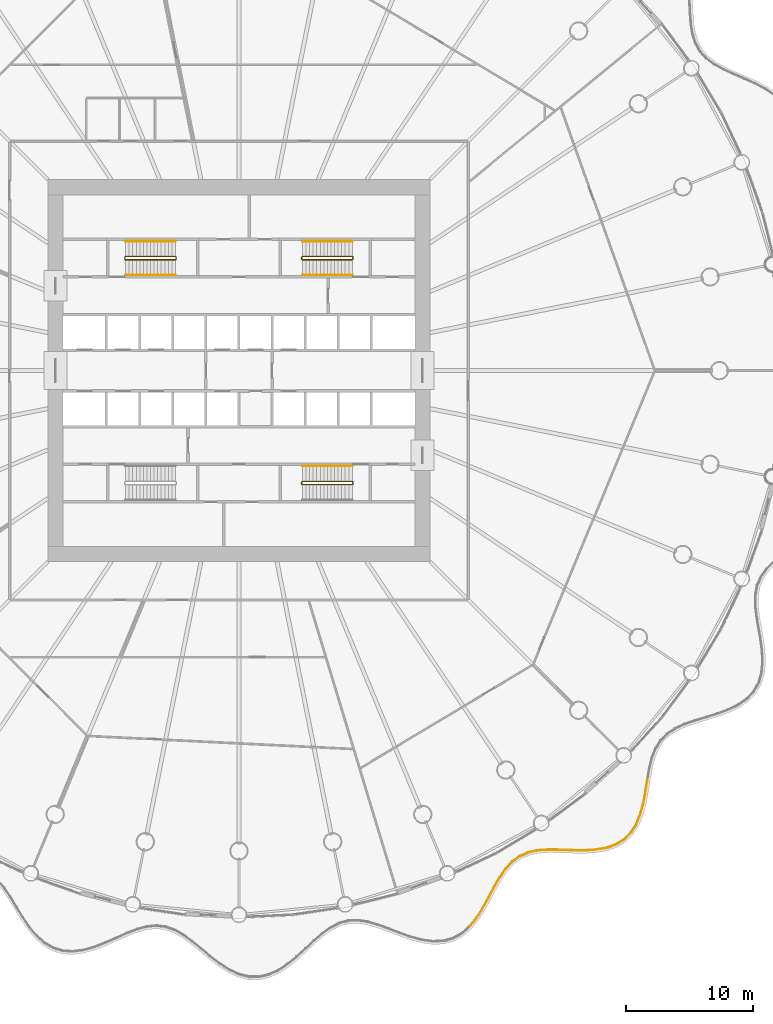
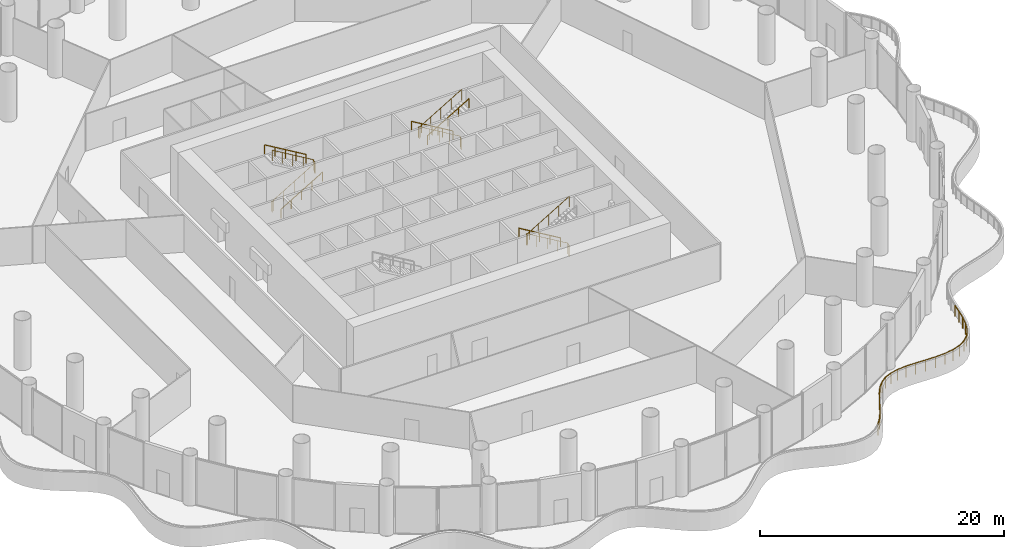
# One storey, part 32 of 35: 9 railings.
"""IFC4 building model written with IfcOpenShell, lengths in metres."""

from ifc_helpers import new_model, si_unit, direction, frame, origin, origin_2d, place, context, subcontext, project, spatial, circle, extrude, material, type_object, element, save


model = new_model("IFC4")

# Units and contexts
model_context = context("Model", 3, precision=1e-05, world=origin(), true_north=direction((0.0, 1.0)))
body_context = subcontext(model_context, "Body", "Model", "MODEL_VIEW")
ifc_project = project(units=[si_unit("LENGTHUNIT", "METRE"), si_unit("AREAUNIT", "SQUARE_METRE"), si_unit("VOLUMEUNIT", "CUBIC_METRE"), si_unit("PLANEANGLEUNIT", "RADIAN"), si_unit("MASSUNIT", "GRAM", prefix="KILO")], contexts=[model_context])

# Site, building, storey
site_placement = place(None, origin())
site = spatial("IfcSite", under=ifc_project, at=site_placement, CompositionType="ELEMENT")
building_placement = place(site_placement, origin())
building = spatial("IfcBuilding", under=site, at=building_placement, Name="Corvane Civic Tower", CompositionType="ELEMENT")
storey_placement = place(building_placement, frame((0.0, 0.0, 27.0)))
storey = spatial("IfcBuildingStorey", under=building, at=storey_placement, Name="L05", CompositionType="ELEMENT", Elevation=27.0)

# Railings
ifc_material_1 = material(Name="Steel ASTM A572 Gr 50", Category="steel")
railing_type_1 = type_object("IfcRailingType", Name="PODIUM-RL-GUARD-1100", PredefinedType="GUARDRAIL", material=ifc_material_1)
railing_1_placement = place(storey_placement, frame((18.093017578125, -43.623046875, 0.0)))
element("IfcRailing", 1, at=railing_1_placement, inside=storey, type_object=railing_type_1, Name="L05 ribbon guard 10", PredefinedType="GUARDRAIL", context=body_context, shape_type="SweptSolid", body=[
    extrude(circle(Radius=0.02392578125, at=origin_2d()), frame((0.0, 0.0, 1.076171875), z_axis=(0.634134915588, 0.773222418733, 0.0), x_axis=(-0.773222418733, 0.634134915588, 0.0)), (0.0, 0.0, 1.0), 0.84423828125),
    extrude(circle(Radius=0.02392578125, at=origin_2d()), frame((0.535400390625, 0.65283203125, 1.076171875), z_axis=(0.540730545669, 0.841195861248, 0.0), x_axis=(-0.841195861248, 0.540730545669, 0.0)), (0.0, 0.0, 1.0), 0.91259765625),
    extrude(circle(Radius=0.02392578125, at=origin_2d()), frame((1.02880859375, 1.42041015625, 1.076171875), z_axis=(0.483733525846, 0.875215331203, 0.0), x_axis=(-0.875215331203, 0.483733525846, 0.0)), (0.0, 0.0, 1.0), 0.93408203125),
    extrude(circle(Radius=0.02392578125, at=origin_2d()), frame((1.480712890625, 2.238037109375, 1.076171875), z_axis=(0.466638195595, 0.884448299457, 0.0), x_axis=(-0.884448299457, 0.466638195595, 0.0)), (0.0, 0.0, 1.0), 0.925048828125),
    extrude(circle(Radius=0.02392578125, at=origin_2d()), frame((1.912353515625, 3.05615234375, 1.076171875), z_axis=(0.491385477891, 0.87094219792, 0.0), x_axis=(-0.87094219792, 0.491385477891, 0.0)), (0.0, 0.0, 1.0), 0.886474609375),
    extrude(circle(Radius=0.02392578125, at=origin_2d()), frame((2.347900390625, 3.828125, 1.076171875), z_axis=(0.561154876158, 0.827710822065, 0.0), x_axis=(-0.827710822065, 0.561154876158, 0.0)), (0.0, 0.0, 1.0), 0.8271484375),
    extrude(circle(Radius=0.02392578125, at=origin_2d()), frame((2.81201171875, 4.5126953125, 1.076171875), z_axis=(0.673164679365, 0.739492606086, 0.0), x_axis=(-0.739492606086, 0.673164679365, 0.0)), (0.0, 0.0, 1.0), 0.765625),
    extrude(circle(Radius=0.02392578125, at=origin_2d()), frame((3.327392578125, 5.078857421875, 1.076171875), z_axis=(0.8052164335, 0.592981024336, 0.0), x_axis=(-0.592981024336, 0.8052164335, 0.0)), (0.0, 0.0, 1.0), 0.725830078125),
    extrude(circle(Radius=0.02392578125, at=origin_2d()), frame((3.911865234375, 5.50927734375, 1.076171875), z_axis=(0.916126457216, 0.400889404186, 0.0), x_axis=(-0.400889404186, 0.916126457216, 0.0)), (0.0, 0.0, 1.0), 0.725830078125),
    extrude(circle(Radius=0.02392578125, at=origin_2d()), frame((4.576904296875, 5.80029296875, 1.076171875), z_axis=(0.97699765227, 0.213250058522, 0.0), x_axis=(-0.213250058522, 0.97699765227, 0.0)), (0.0, 0.0, 1.0), 0.765869140625),
    extrude(circle(Radius=0.02392578125, at=origin_2d()), frame((5.3251953125, 5.963623046875, 1.076171875), z_axis=(0.997401426671, 0.072044389612, 0.0), x_axis=(-0.072044389612, 0.997401426671, 0.0)), (0.0, 0.0, 1.0), 0.826904296875),
    extrude(circle(Radius=0.02392578125, at=origin_2d()), frame((6.14990234375, 6.023193359375, 1.076171875), z_axis=(0.999950826658, -0.009916867702, 0.0), x_axis=(0.009916867702, 0.999950826658, 0.0)), (0.0, 0.0, 1.0), 0.88623046875),
    extrude(circle(Radius=0.02392578125, at=origin_2d()), frame((7.0361328125, 6.014404296875, 1.076171875), z_axis=(0.999277839493, -0.037997361734, 0.0), x_axis=(0.037997361734, 0.999277839493, 0.0)), (0.0, 0.0, 1.0), 0.92529296875),
    extrude(circle(Radius=0.02392578125, at=origin_2d()), frame((7.960693359375, 5.979248046875, 1.076171875), z_axis=(0.999827768885, -0.018558894534, 0.0), x_axis=(0.018558894534, 0.999827768885, 0.0)), (0.0, 0.0, 1.0), 0.93408203125),
    extrude(circle(Radius=0.02392578125, at=origin_2d()), frame((8.89453125, 5.9619140625, 1.076171875), z_axis=(0.998865715566, 0.047615987512, 0.0), x_axis=(-0.047615987512, 0.998865715566, 0.0)), (0.0, 0.0, 1.0), 0.91259765625),
    extrude(circle(Radius=0.02392578125, at=origin_2d()), frame((9.80615234375, 6.00537109375, 1.076171875), z_axis=(0.986725999475, 0.16239397144, 0.0), x_axis=(-0.16239397144, 0.986725999475, 0.0)), (0.0, 0.0, 1.0), 0.868896484375),
    extrude(circle(Radius=0.02392578125, at=origin_2d()), frame((10.66357421875, 6.146484375, 1.076171875), z_axis=(0.945632221088, 0.32523791667, 0.0), x_axis=(-0.32523791667, 0.945632221088, 0.0)), (0.0, 0.0, 1.0), 0.81982421875),
    extrude(circle(Radius=0.02392578125, at=origin_2d()), frame((11.438720703125, 6.4130859375, 1.076171875), z_axis=(0.854654494149, 0.519197164506, 0.0), x_axis=(-0.519197164506, 0.854654494149, 0.0)), (0.0, 0.0, 1.0), 0.785400390625),
    extrude(circle(Radius=0.02392578125, at=origin_2d()), frame((12.10986328125, 6.82080078125, 1.076171875), z_axis=(0.708979075242, 0.705229516448, 0.0), x_axis=(-0.705229516448, 0.708979075242, 0.0)), (0.0, 0.0, 1.0), 0.78125),
    extrude(circle(Radius=0.02392578125, at=origin_2d()), frame((12.663818359375, 7.371826171875, 1.076171875), z_axis=(0.536212591881, 0.844082967669, 0.0), x_axis=(-0.844082967669, 0.536212591881, 0.0)), (0.0, 0.0, 1.0), 0.810546875),
    extrude(circle(Radius=0.02392578125, at=origin_2d()), frame((13.098388671875, 8.055908203125, 1.076171875), z_axis=(0.377558768502, 0.925985624255, 0.0), x_axis=(-0.925985624255, 0.377558768502, 0.0)), (0.0, 0.0, 1.0), 0.858642578125),
    extrude(circle(Radius=0.02392578125, at=origin_2d()), frame((13.422607421875, 8.85107421875, 1.076171875), z_axis=(0.257746640802, 0.966212538293, 0.0), x_axis=(-0.966212538293, 0.257746640802, 0.0)), (0.0, 0.0, 1.0), 0.904541015625),
    extrude(circle(Radius=0.02392578125, at=origin_2d()), frame((13.65576171875, 9.72509765625, 1.076171875), z_axis=(0.183355365937, 0.983046697661, 0.0), x_axis=(-0.983046697661, 0.183355365937, 0.0)), (0.0, 0.0, 1.0), 0.93212890625),
    extrude(circle(Radius=0.02392578125, at=origin_2d()), frame((13.82666015625, 10.641357421875, 1.076171875), z_axis=(0.154368647658, 0.988013320062, 0.0), x_axis=(-0.988013320062, 0.154368647658, 0.0)), (0.0, 0.0, 1.0), 0.904541015625),
    extrude(circle(Radius=0.02099609375, at=origin_2d()), origin(), (0.0, 0.0, 1.0), 1.052001953125),
    extrude(circle(Radius=0.02099609375, at=origin_2d()), frame((0.535400390625, 0.65283203125, 0.0)), (0.0, 0.0, 1.0), 1.052001953125),
    extrude(circle(Radius=0.02099609375, at=origin_2d()), frame((1.02880859375, 1.42041015625, 0.0)), (0.0, 0.0, 1.0), 1.052001953125),
    extrude(circle(Radius=0.02099609375, at=origin_2d()), frame((1.480712890625, 2.238037109375, 0.0)), (0.0, 0.0, 1.0), 1.052001953125),
    extrude(circle(Radius=0.02099609375, at=origin_2d()), frame((1.912353515625, 3.05615234375, 0.0)), (0.0, 0.0, 1.0), 1.052001953125),
    extrude(circle(Radius=0.02099609375, at=origin_2d()), frame((2.347900390625, 3.828125, 0.0)), (0.0, 0.0, 1.0), 1.052001953125),
    extrude(circle(Radius=0.02099609375, at=origin_2d()), frame((2.81201171875, 4.5126953125, 0.0)), (0.0, 0.0, 1.0), 1.052001953125),
    extrude(circle(Radius=0.02099609375, at=origin_2d()), frame((3.327392578125, 5.078857421875, 0.0)), (0.0, 0.0, 1.0), 1.052001953125),
    extrude(circle(Radius=0.02099609375, at=origin_2d()), frame((3.911865234375, 5.50927734375, 0.0)), (0.0, 0.0, 1.0), 1.052001953125),
    extrude(circle(Radius=0.02099609375, at=origin_2d()), frame((4.576904296875, 5.80029296875, 0.0)), (0.0, 0.0, 1.0), 1.052001953125),
    extrude(circle(Radius=0.02099609375, at=origin_2d()), frame((5.3251953125, 5.963623046875, 0.0)), (0.0, 0.0, 1.0), 1.052001953125),
    extrude(circle(Radius=0.02099609375, at=origin_2d()), frame((6.14990234375, 6.023193359375, 0.0)), (0.0, 0.0, 1.0), 1.052001953125),
    extrude(circle(Radius=0.02099609375, at=origin_2d()), frame((7.0361328125, 6.014404296875, 0.0)), (0.0, 0.0, 1.0), 1.052001953125),
    extrude(circle(Radius=0.02099609375, at=origin_2d()), frame((7.960693359375, 5.979248046875, 0.0)), (0.0, 0.0, 1.0), 1.052001953125),
    extrude(circle(Radius=0.02099609375, at=origin_2d()), frame((8.89453125, 5.9619140625, 0.0)), (0.0, 0.0, 1.0), 1.052001953125),
    extrude(circle(Radius=0.02099609375, at=origin_2d()), frame((9.80615234375, 6.00537109375, 0.0)), (0.0, 0.0, 1.0), 1.052001953125),
    extrude(circle(Radius=0.02099609375, at=origin_2d()), frame((10.66357421875, 6.146484375, 0.0)), (0.0, 0.0, 1.0), 1.052001953125),
    extrude(circle(Radius=0.02099609375, at=origin_2d()), frame((11.438720703125, 6.4130859375, 0.0)), (0.0, 0.0, 1.0), 1.052001953125),
    extrude(circle(Radius=0.02099609375, at=origin_2d()), frame((12.10986328125, 6.82080078125, 0.0)), (0.0, 0.0, 1.0), 1.052001953125),
    extrude(circle(Radius=0.02099609375, at=origin_2d()), frame((12.663818359375, 7.371826171875, 0.0)), (0.0, 0.0, 1.0), 1.052001953125),
    extrude(circle(Radius=0.02099609375, at=origin_2d()), frame((13.098388671875, 8.055908203125, 0.0)), (0.0, 0.0, 1.0), 1.052001953125),
    extrude(circle(Radius=0.02099609375, at=origin_2d()), frame((13.422607421875, 8.85107421875, 0.0)), (0.0, 0.0, 1.0), 1.052001953125),
    extrude(circle(Radius=0.02099609375, at=origin_2d()), frame((13.65576171875, 9.72509765625, 0.0)), (0.0, 0.0, 1.0), 1.052001953125),
    extrude(circle(Radius=0.02099609375, at=origin_2d()), frame((13.82666015625, 10.641357421875, 0.0)), (0.0, 0.0, 1.0), 1.052001953125),
    extrude(circle(Radius=0.02099609375, at=origin_2d()), frame((13.96630859375, 11.53515625, 0.0)), (0.0, 0.0, 1.0), 1.052001953125),
])
ifc_material_2 = material(Name="Steel ASTM A572 Gr 50", Category="steel")
railing_type_2 = type_object("IfcRailingType", Name="ST-GUARD-1100", PredefinedType="GUARDRAIL", material=ifc_material_2)
railing_2_placement = place(storey_placement, frame((8.949951171875, 8.75, 0.0)))
element("IfcRailing", 2, at=railing_2_placement, inside=storey, type_object=railing_type_2, Name="L05 ST1 stair guard 1", PredefinedType="GUARDRAIL", context=body_context, shape_type="SweptSolid", body=[
    extrude(circle(Radius=0.02392578125, at=origin_2d()), frame((0.0, 0.0, 1.076171875), z_axis=(0.0, 1.0, 0.0), x_axis=(-1.0, 0.0, 0.0)), (0.0, 0.0, 1.0), 0.14990234375),
    extrude(circle(Radius=0.02392578125, at=origin_2d()), frame((0.0, 0.14990234375, 1.076171875), z_axis=(-0.27628659633, 0.27628659633, 0.920506074601), x_axis=(-0.707106781187, -0.707106781187, 0.0)), (0.0, 0.0, 1.0), 0.18115234375),
    extrude(circle(Radius=0.02392578125, at=origin_2d()), frame((-0.050048828125, 0.199951171875, 1.24267578125), z_axis=(-0.859296244711, 0.0, 0.511478214419), x_axis=(0.0, -1.0, 0.0)), (0.0, 0.0, 1.0), 4.561767578125),
    extrude(circle(Radius=0.02392578125, at=origin_2d()), frame((-3.969970703125, 0.199951171875, 3.576171875), z_axis=(-0.707106781187, -0.707106781187, 0.0), x_axis=(0.707106781187, -0.707106781187, 0.0)), (0.0, 0.0, 1.0), 0.07080078125),
    extrude(circle(Radius=0.02392578125, at=origin_2d()), frame((-4.02001953125, 0.14990234375, 3.576171875), z_axis=(0.0, -1.0, 0.0), x_axis=(1.0, 0.0, 0.0)), (0.0, 0.0, 1.0), 0.14990234375),
    extrude(circle(Radius=0.02392578125, at=origin_2d()), frame((-4.02001953125, 0.0, 3.576171875), z_axis=(0.27628659633, -0.27628659633, 0.920506074601), x_axis=(0.707106781187, 0.707106781187, 0.0)), (0.0, 0.0, 1.0), 0.18115234375),
    extrude(circle(Radius=0.02392578125, at=origin_2d()), frame((-3.969970703125, -0.050048828125, 3.74267578125), z_axis=(0.859296244711, 0.0, 0.511478214419), x_axis=(0.0, 1.0, 0.0)), (0.0, 0.0, 1.0), 4.561767578125),
    extrude(circle(Radius=0.02099609375, at=origin_2d()), origin(), (0.0, 0.0, 1.0), 1.052001953125),
    extrude(circle(Radius=0.02099609375, at=origin_2d()), frame((0.0, 0.14990234375, 0.0)), (0.0, 0.0, 1.0), 1.052001953125),
    extrude(circle(Radius=0.02099609375, at=origin_2d()), frame((-0.050048828125, 0.199951171875, 0.166748046875)), (0.0, 0.0, 1.0), 1.052001953125),
    extrude(circle(Radius=0.02099609375, at=origin_2d()), frame((-1.030029296875, 0.199951171875, 0.75)), (0.0, 0.0, 1.0), 1.052001953125),
    extrude(circle(Radius=0.02099609375, at=origin_2d()), frame((-2.010009765625, 0.199951171875, 1.33349609375)), (0.0, 0.0, 1.0), 1.052001953125),
    extrude(circle(Radius=0.02099609375, at=origin_2d()), frame((-2.989990234375, 0.199951171875, 1.916748046875)), (0.0, 0.0, 1.0), 1.052001953125),
    extrude(circle(Radius=0.02099609375, at=origin_2d()), frame((-3.969970703125, 0.199951171875, 2.5)), (0.0, 0.0, 1.0), 1.052001953125),
    extrude(circle(Radius=0.02099609375, at=origin_2d()), frame((-4.02001953125, 0.14990234375, 2.5)), (0.0, 0.0, 1.0), 1.052001953125),
    extrude(circle(Radius=0.02099609375, at=origin_2d()), frame((-4.02001953125, 0.0, 2.5)), (0.0, 0.0, 1.0), 1.052001953125),
    extrude(circle(Radius=0.02099609375, at=origin_2d()), frame((-3.969970703125, -0.050048828125, 2.666748046875)), (0.0, 0.0, 1.0), 1.052001953125),
    extrude(circle(Radius=0.02099609375, at=origin_2d()), frame((-2.989990234375, -0.050048828125, 3.25)), (0.0, 0.0, 1.0), 1.052001953125),
    extrude(circle(Radius=0.02099609375, at=origin_2d()), frame((-2.010009765625, -0.050048828125, 3.83349609375)), (0.0, 0.0, 1.0), 1.052001953125),
    extrude(circle(Radius=0.02099609375, at=origin_2d()), frame((-1.030029296875, -0.050048828125, 4.416748046875)), (0.0, 0.0, 1.0), 1.052001953125),
    extrude(circle(Radius=0.02099609375, at=origin_2d()), frame((-0.050048828125, -0.050048828125, 5.0)), (0.0, 0.0, 1.0), 1.052001953125),
])
railing_3_placement = place(storey_placement, frame((8.949951171875, -8.89990234375, 0.0)))
element("IfcRailing", 3, at=railing_3_placement, inside=storey, type_object=railing_type_2, Name="L05 ST2 stair guard 1", PredefinedType="GUARDRAIL", context=body_context, shape_type="SweptSolid", body=[
    extrude(circle(Radius=0.02392578125, at=origin_2d()), frame((0.0, 0.0, 1.076171875), z_axis=(0.0, 1.0, 0.0), x_axis=(-1.0, 0.0, 0.0)), (0.0, 0.0, 1.0), 0.14990234375),
    extrude(circle(Radius=0.02392578125, at=origin_2d()), frame((0.0, 0.14990234375, 1.076171875), z_axis=(-0.27628659633, 0.27628659633, 0.920506074601), x_axis=(-0.707106781187, -0.707106781187, 0.0)), (0.0, 0.0, 1.0), 0.18115234375),
    extrude(circle(Radius=0.02392578125, at=origin_2d()), frame((-0.050048828125, 0.199951171875, 1.24267578125), z_axis=(-0.859296244711, 0.0, 0.511478214419), x_axis=(0.0, -1.0, 0.0)), (0.0, 0.0, 1.0), 4.561767578125),
    extrude(circle(Radius=0.02392578125, at=origin_2d()), frame((-3.969970703125, 0.199951171875, 3.576171875), z_axis=(-0.707106781187, -0.707106781187, 0.0), x_axis=(0.707106781187, -0.707106781187, 0.0)), (0.0, 0.0, 1.0), 0.07080078125),
    extrude(circle(Radius=0.02392578125, at=origin_2d()), frame((-4.02001953125, 0.14990234375, 3.576171875), z_axis=(0.0, -1.0, 0.0), x_axis=(1.0, 0.0, 0.0)), (0.0, 0.0, 1.0), 0.14990234375),
    extrude(circle(Radius=0.02392578125, at=origin_2d()), frame((-4.02001953125, 0.0, 3.576171875), z_axis=(0.27628659633, -0.27628659633, 0.920506074601), x_axis=(0.707106781187, 0.707106781187, 0.0)), (0.0, 0.0, 1.0), 0.18115234375),
    extrude(circle(Radius=0.02392578125, at=origin_2d()), frame((-3.969970703125, -0.050048828125, 3.74267578125), z_axis=(0.859296244711, 0.0, 0.511478214419), x_axis=(0.0, 1.0, 0.0)), (0.0, 0.0, 1.0), 4.561767578125),
    extrude(circle(Radius=0.02099609375, at=origin_2d()), origin(), (0.0, 0.0, 1.0), 1.052001953125),
    extrude(circle(Radius=0.02099609375, at=origin_2d()), frame((0.0, 0.14990234375, 0.0)), (0.0, 0.0, 1.0), 1.052001953125),
    extrude(circle(Radius=0.02099609375, at=origin_2d()), frame((-0.050048828125, 0.199951171875, 0.166748046875)), (0.0, 0.0, 1.0), 1.052001953125),
    extrude(circle(Radius=0.02099609375, at=origin_2d()), frame((-1.030029296875, 0.199951171875, 0.75)), (0.0, 0.0, 1.0), 1.052001953125),
    extrude(circle(Radius=0.02099609375, at=origin_2d()), frame((-2.010009765625, 0.199951171875, 1.33349609375)), (0.0, 0.0, 1.0), 1.052001953125),
    extrude(circle(Radius=0.02099609375, at=origin_2d()), frame((-2.989990234375, 0.199951171875, 1.916748046875)), (0.0, 0.0, 1.0), 1.052001953125),
    extrude(circle(Radius=0.02099609375, at=origin_2d()), frame((-3.969970703125, 0.199951171875, 2.5)), (0.0, 0.0, 1.0), 1.052001953125),
    extrude(circle(Radius=0.02099609375, at=origin_2d()), frame((-4.02001953125, 0.14990234375, 2.5)), (0.0, 0.0, 1.0), 1.052001953125),
    extrude(circle(Radius=0.02099609375, at=origin_2d()), frame((-4.02001953125, 0.0, 2.5)), (0.0, 0.0, 1.0), 1.052001953125),
    extrude(circle(Radius=0.02099609375, at=origin_2d()), frame((-3.969970703125, -0.050048828125, 2.666748046875)), (0.0, 0.0, 1.0), 1.052001953125),
    extrude(circle(Radius=0.02099609375, at=origin_2d()), frame((-2.989990234375, -0.050048828125, 3.25)), (0.0, 0.0, 1.0), 1.052001953125),
    extrude(circle(Radius=0.02099609375, at=origin_2d()), frame((-2.010009765625, -0.050048828125, 3.83349609375)), (0.0, 0.0, 1.0), 1.052001953125),
    extrude(circle(Radius=0.02099609375, at=origin_2d()), frame((-1.030029296875, -0.050048828125, 4.416748046875)), (0.0, 0.0, 1.0), 1.052001953125),
    extrude(circle(Radius=0.02099609375, at=origin_2d()), frame((-0.050048828125, -0.050048828125, 5.0)), (0.0, 0.0, 1.0), 1.052001953125),
])
railing_4_placement = place(storey_placement, frame((-8.949951171875, 8.89990234375, 0.0)))
element("IfcRailing", 4, at=railing_4_placement, inside=storey, type_object=railing_type_2, Name="L05 ST4 stair guard 1", PredefinedType="GUARDRAIL", context=body_context, shape_type="SweptSolid", body=[
    extrude(circle(Radius=0.02392578125, at=origin_2d()), frame((0.0, 0.0, 1.076171875), z_axis=(0.0, -1.0, 0.0), x_axis=(1.0, 0.0, 0.0)), (0.0, 0.0, 1.0), 0.14990234375),
    extrude(circle(Radius=0.02392578125, at=origin_2d()), frame((0.0, -0.14990234375, 1.076171875), z_axis=(0.27628659633, -0.27628659633, 0.920506074601), x_axis=(0.707106781187, 0.707106781187, 0.0)), (0.0, 0.0, 1.0), 0.18115234375),
    extrude(circle(Radius=0.02392578125, at=origin_2d()), frame((0.050048828125, -0.199951171875, 1.24267578125), z_axis=(0.859296244711, 0.0, 0.511478214419), x_axis=(0.0, 1.0, 0.0)), (0.0, 0.0, 1.0), 4.561767578125),
    extrude(circle(Radius=0.02392578125, at=origin_2d()), frame((3.969970703125, -0.199951171875, 3.576171875), z_axis=(0.707106781187, 0.707106781187, 0.0), x_axis=(-0.707106781187, 0.707106781187, 0.0)), (0.0, 0.0, 1.0), 0.07080078125),
    extrude(circle(Radius=0.02392578125, at=origin_2d()), frame((4.02001953125, -0.14990234375, 3.576171875), z_axis=(0.0, 1.0, 0.0), x_axis=(-1.0, 0.0, 0.0)), (0.0, 0.0, 1.0), 0.14990234375),
    extrude(circle(Radius=0.02392578125, at=origin_2d()), frame((4.02001953125, 0.0, 3.576171875), z_axis=(-0.27628659633, 0.27628659633, 0.920506074601), x_axis=(-0.707106781187, -0.707106781187, 0.0)), (0.0, 0.0, 1.0), 0.18115234375),
    extrude(circle(Radius=0.02392578125, at=origin_2d()), frame((3.969970703125, 0.050048828125, 3.74267578125), z_axis=(-0.859296244711, 0.0, 0.511478214419), x_axis=(0.0, -1.0, 0.0)), (0.0, 0.0, 1.0), 4.561767578125),
    extrude(circle(Radius=0.02099609375, at=origin_2d()), origin(), (0.0, 0.0, 1.0), 1.052001953125),
    extrude(circle(Radius=0.02099609375, at=origin_2d()), frame((0.0, -0.14990234375, 0.0)), (0.0, 0.0, 1.0), 1.052001953125),
    extrude(circle(Radius=0.02099609375, at=origin_2d()), frame((0.050048828125, -0.199951171875, 0.166748046875)), (0.0, 0.0, 1.0), 1.052001953125),
    extrude(circle(Radius=0.02099609375, at=origin_2d()), frame((1.030029296875, -0.199951171875, 0.75)), (0.0, 0.0, 1.0), 1.052001953125),
    extrude(circle(Radius=0.02099609375, at=origin_2d()), frame((2.010009765625, -0.199951171875, 1.33349609375)), (0.0, 0.0, 1.0), 1.052001953125),
    extrude(circle(Radius=0.02099609375, at=origin_2d()), frame((2.989990234375, -0.199951171875, 1.916748046875)), (0.0, 0.0, 1.0), 1.052001953125),
    extrude(circle(Radius=0.02099609375, at=origin_2d()), frame((3.969970703125, -0.199951171875, 2.5)), (0.0, 0.0, 1.0), 1.052001953125),
    extrude(circle(Radius=0.02099609375, at=origin_2d()), frame((4.02001953125, -0.14990234375, 2.5)), (0.0, 0.0, 1.0), 1.052001953125),
    extrude(circle(Radius=0.02099609375, at=origin_2d()), frame((4.02001953125, 0.0, 2.5)), (0.0, 0.0, 1.0), 1.052001953125),
    extrude(circle(Radius=0.02099609375, at=origin_2d()), frame((3.969970703125, 0.050048828125, 2.666748046875)), (0.0, 0.0, 1.0), 1.052001953125),
    extrude(circle(Radius=0.02099609375, at=origin_2d()), frame((2.989990234375, 0.050048828125, 3.25)), (0.0, 0.0, 1.0), 1.052001953125),
    extrude(circle(Radius=0.02099609375, at=origin_2d()), frame((2.010009765625, 0.050048828125, 3.83349609375)), (0.0, 0.0, 1.0), 1.052001953125),
    extrude(circle(Radius=0.02099609375, at=origin_2d()), frame((1.030029296875, 0.050048828125, 4.416748046875)), (0.0, 0.0, 1.0), 1.052001953125),
    extrude(circle(Radius=0.02099609375, at=origin_2d()), frame((0.050048828125, 0.050048828125, 5.0)), (0.0, 0.0, 1.0), 1.052001953125),
])
ifc_material_3 = material(Name="Steel ASTM A572 Gr 50", Category="steel")
railing_type_3 = type_object("IfcRailingType", Name="ST-HANDRAIL-900", PredefinedType="HANDRAIL", material=ifc_material_3)
railing_5_placement = place(storey_placement, frame((8.89990234375, 10.14990234375, 0.166748046875)))
element("IfcRailing", 5, at=railing_5_placement, inside=storey, type_object=railing_type_3, Name="L05 ST1 stair handrail 1", PredefinedType="HANDRAIL", context=body_context, shape_type="SweptSolid", body=[
    extrude(circle(Radius=0.02392578125, at=origin_2d()), frame((0.0, 0.0, 0.8759765625), z_axis=(-0.859296244711, 0.0, 0.511478214419), x_axis=(0.0, -1.0, 0.0)), (0.0, 0.0, 1.0), 4.561767578125),
    extrude(circle(Radius=0.02099609375, at=origin_2d()), origin(), (0.0, 0.0, 1.0), 0.851806640625),
    extrude(circle(Radius=0.02099609375, at=origin_2d()), frame((-0.97998046875, 0.0, 0.583251953125)), (0.0, 0.0, 1.0), 0.851806640625),
    extrude(circle(Radius=0.02099609375, at=origin_2d()), frame((-1.9599609375, 0.0, 1.16650390625)), (0.0, 0.0, 1.0), 0.851806640625),
    extrude(circle(Radius=0.02099609375, at=origin_2d()), frame((-2.93994140625, 0.0, 1.75)), (0.0, 0.0, 1.0), 0.851806640625),
    extrude(circle(Radius=0.02099609375, at=origin_2d()), frame((-3.919921875, 0.0, 2.333251953125)), (0.0, 0.0, 1.0), 0.851806640625),
])
railing_6_placement = place(storey_placement, frame((4.97998046875, 7.5, 2.666748046875)))
element("IfcRailing", 6, at=railing_6_placement, inside=storey, type_object=railing_type_3, Name="L05 ST1 stair handrail 2", PredefinedType="HANDRAIL", context=body_context, shape_type="SweptSolid", body=[
    extrude(circle(Radius=0.02392578125, at=origin_2d()), frame((0.0, 0.0, 0.8759765625), z_axis=(0.859296244711, 0.0, 0.511478214419), x_axis=(0.0, 1.0, 0.0)), (0.0, 0.0, 1.0), 4.561767578125),
    extrude(circle(Radius=0.02099609375, at=origin_2d()), origin(), (0.0, 0.0, 1.0), 0.851806640625),
    extrude(circle(Radius=0.02099609375, at=origin_2d()), frame((0.97998046875, 0.0, 0.583251953125)), (0.0, 0.0, 1.0), 0.851806640625),
    extrude(circle(Radius=0.02099609375, at=origin_2d()), frame((1.9599609375, 0.0, 1.16650390625)), (0.0, 0.0, 1.0), 0.851806640625),
    extrude(circle(Radius=0.02099609375, at=origin_2d()), frame((2.93994140625, 0.0, 1.75)), (0.0, 0.0, 1.0), 0.851806640625),
    extrude(circle(Radius=0.02099609375, at=origin_2d()), frame((3.919921875, 0.0, 2.333251953125)), (0.0, 0.0, 1.0), 0.851806640625),
])
railing_7_placement = place(storey_placement, frame((8.89990234375, -7.5, 0.166748046875)))
element("IfcRailing", 7, at=railing_7_placement, inside=storey, type_object=railing_type_3, Name="L05 ST2 stair handrail 1", PredefinedType="HANDRAIL", context=body_context, shape_type="SweptSolid", body=[
    extrude(circle(Radius=0.02392578125, at=origin_2d()), frame((0.0, 0.0, 0.8759765625), z_axis=(-0.859296244711, 0.0, 0.511478214419), x_axis=(0.0, -1.0, 0.0)), (0.0, 0.0, 1.0), 4.561767578125),
    extrude(circle(Radius=0.02099609375, at=origin_2d()), origin(), (0.0, 0.0, 1.0), 0.851806640625),
    extrude(circle(Radius=0.02099609375, at=origin_2d()), frame((-0.97998046875, 0.0, 0.583251953125)), (0.0, 0.0, 1.0), 0.851806640625),
    extrude(circle(Radius=0.02099609375, at=origin_2d()), frame((-1.9599609375, 0.0, 1.16650390625)), (0.0, 0.0, 1.0), 0.851806640625),
    extrude(circle(Radius=0.02099609375, at=origin_2d()), frame((-2.93994140625, 0.0, 1.75)), (0.0, 0.0, 1.0), 0.851806640625),
    extrude(circle(Radius=0.02099609375, at=origin_2d()), frame((-3.919921875, 0.0, 2.333251953125)), (0.0, 0.0, 1.0), 0.851806640625),
])
railing_8_placement = place(storey_placement, frame((-8.89990234375, 7.5, 0.166748046875)))
element("IfcRailing", 8, at=railing_8_placement, inside=storey, type_object=railing_type_3, Name="L05 ST4 stair handrail 1", PredefinedType="HANDRAIL", context=body_context, shape_type="SweptSolid", body=[
    extrude(circle(Radius=0.02392578125, at=origin_2d()), frame((0.0, 0.0, 0.8759765625), z_axis=(0.859296244711, 0.0, 0.511478214419), x_axis=(0.0, 1.0, 0.0)), (0.0, 0.0, 1.0), 4.561767578125),
    extrude(circle(Radius=0.02099609375, at=origin_2d()), origin(), (0.0, 0.0, 1.0), 0.851806640625),
    extrude(circle(Radius=0.02099609375, at=origin_2d()), frame((0.97998046875, 0.0, 0.583251953125)), (0.0, 0.0, 1.0), 0.851806640625),
    extrude(circle(Radius=0.02099609375, at=origin_2d()), frame((1.9599609375, 0.0, 1.16650390625)), (0.0, 0.0, 1.0), 0.851806640625),
    extrude(circle(Radius=0.02099609375, at=origin_2d()), frame((2.93994140625, 0.0, 1.75)), (0.0, 0.0, 1.0), 0.851806640625),
    extrude(circle(Radius=0.02099609375, at=origin_2d()), frame((3.919921875, 0.0, 2.333251953125)), (0.0, 0.0, 1.0), 0.851806640625),
])
railing_9_placement = place(storey_placement, frame((-4.97998046875, 10.14990234375, 2.666748046875)))
element("IfcRailing", 9, at=railing_9_placement, inside=storey, type_object=railing_type_3, Name="L05 ST4 stair handrail 2", PredefinedType="HANDRAIL", context=body_context, shape_type="SweptSolid", body=[
    extrude(circle(Radius=0.02392578125, at=origin_2d()), frame((0.0, 0.0, 0.8759765625), z_axis=(-0.859296244711, 0.0, 0.511478214419), x_axis=(0.0, -1.0, 0.0)), (0.0, 0.0, 1.0), 4.561767578125),
    extrude(circle(Radius=0.02099609375, at=origin_2d()), origin(), (0.0, 0.0, 1.0), 0.851806640625),
    extrude(circle(Radius=0.02099609375, at=origin_2d()), frame((-0.97998046875, 0.0, 0.583251953125)), (0.0, 0.0, 1.0), 0.851806640625),
    extrude(circle(Radius=0.02099609375, at=origin_2d()), frame((-1.9599609375, 0.0, 1.16650390625)), (0.0, 0.0, 1.0), 0.851806640625),
    extrude(circle(Radius=0.02099609375, at=origin_2d()), frame((-2.93994140625, 0.0, 1.75)), (0.0, 0.0, 1.0), 0.851806640625),
    extrude(circle(Radius=0.02099609375, at=origin_2d()), frame((-3.919921875, 0.0, 2.333251953125)), (0.0, 0.0, 1.0), 0.851806640625),
])

save(model, "model.ifc")
